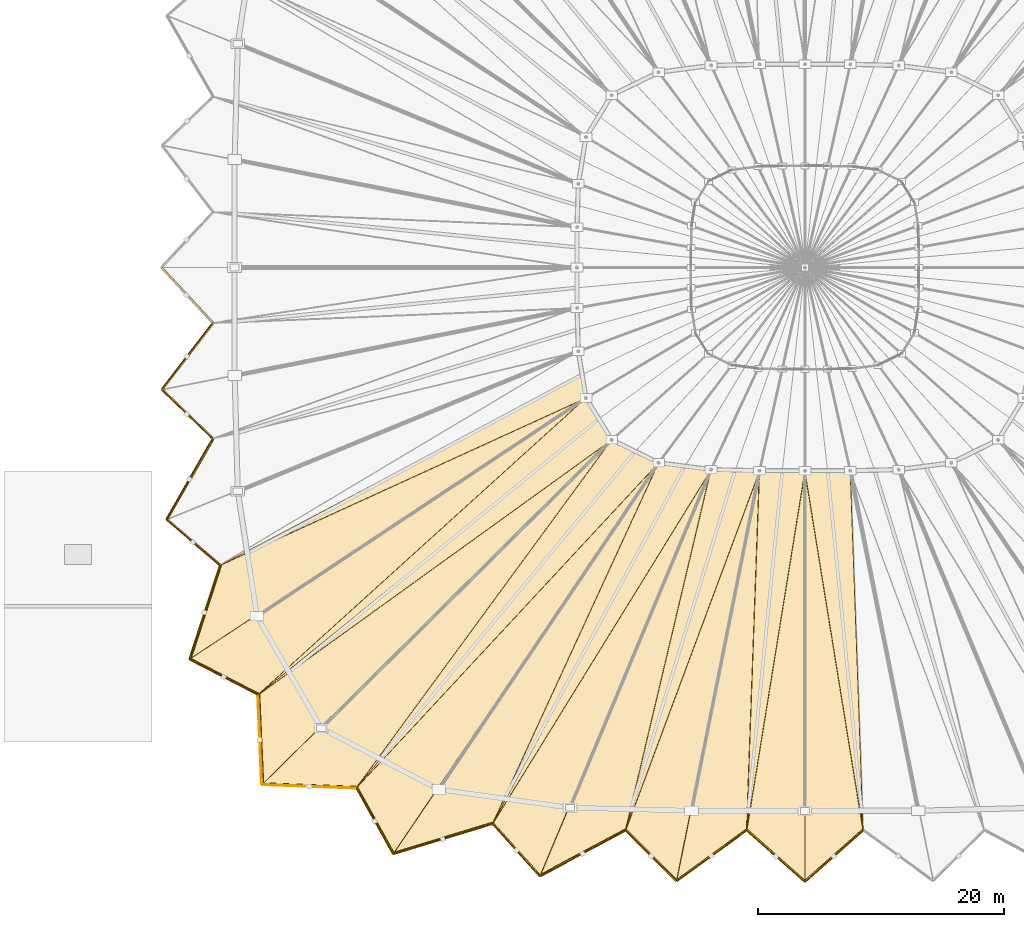
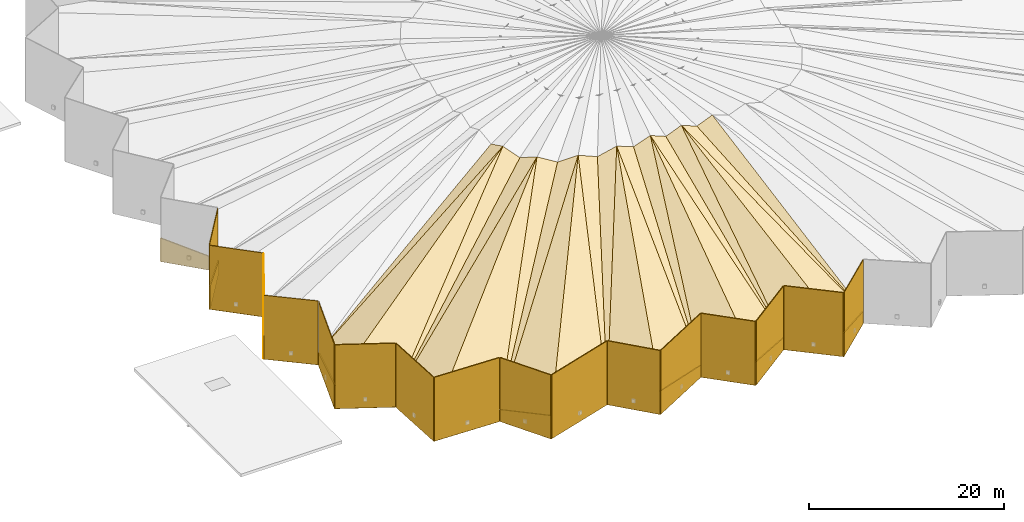
# One storey, part 36 of 41: 42 coverings, 16 shading devices.
"""IFC4 building model written with IfcOpenShell, lengths in metres."""

from ifc_helpers import new_model, si_unit, direction, frame, origin, origin_2d, place, context, subcontext, project, spatial, polyline, rectangle, outline, extrude, material, layer, layer_set, type_object, element, save


model = new_model("IFC4")

# Units and contexts
model_context = context("Model", 3, precision=1e-05, world=origin(), true_north=direction((0.0, 1.0)))
body_context = subcontext(model_context, "Body", "Model", "MODEL_VIEW")
ifc_project = project(units=[si_unit("LENGTHUNIT", "METRE"), si_unit("AREAUNIT", "SQUARE_METRE"), si_unit("VOLUMEUNIT", "CUBIC_METRE"), si_unit("PLANEANGLEUNIT", "RADIAN"), si_unit("MASSUNIT", "GRAM", prefix="KILO")], contexts=[model_context])

# Site, building, storey
site_placement = place(None, origin())
site = spatial("IfcSite", under=ifc_project, at=site_placement, CompositionType="ELEMENT")
building_placement = place(site_placement, origin())
building = spatial("IfcBuilding", under=site, at=building_placement, Name="Luwafu Chhajja Arena", CompositionType="ELEMENT")
storey_placement = place(building_placement, frame((0.0, 0.0, 29.699951171875)))
storey = spatial("IfcBuildingStorey", under=building, at=storey_placement, Name="RF", CompositionType="ELEMENT", Elevation=29.699951171875)

# Shading devices
ifc_material_1 = material(Name="Pierced buff sandstone jali", Category="masonry")
ifc_layer_1 = layer(ifc_material_1, 0.080078125, Name="Pierced buff sandstone jali")
ifc_layer_set_1 = layer_set([ifc_layer_1], Name="Pierced buff sandstone jali")
shading_device_type = type_object("IfcShadingDeviceType", Name="Pierced Buff-Sandstone Jali Screen", PredefinedType="JALOUSIE", material=ifc_layer_set_1)
shading_device_1_placement = place(storey_placement, frame((48.82080078125, 42.296142578125, -1.06005859375), z_axis=(0.0, 0.0, 1.0), x_axis=(-0.60965313274, -0.792668315085, 0.0)))
element("IfcShadingDevice", 1, at=shading_device_1_placement, inside=storey, type_object=shading_device_type, Name="RF Crown Acoustic Jali Screen 34", PredefinedType="JALOUSIE", context=body_context, shape_type="SweptSolid", body=[
    extrude(rectangle(XDim=6.69287109375, YDim=0.080078125, at=origin_2d()), origin(), (0.0, 0.0, 1.0), 8.02001953125),
])
shading_device_2_placement = place(storey_placement, frame((48.823486328125, 37.604736328125, -1.06005859375), z_axis=(0.0, 0.0, 1.0), x_axis=(0.719887976366, -0.694090268974, 0.0)))
element("IfcShadingDevice", 2, at=shading_device_2_placement, inside=storey, type_object=shading_device_type, Name="RF Crown Acoustic Jali Screen 35", PredefinedType="JALOUSIE", context=body_context, shape_type="SweptSolid", body=[
    extrude(rectangle(XDim=5.66015625, YDim=0.080078125, at=origin_2d()), origin(), (0.0, 0.0, 1.0), 8.02001953125),
])
shading_device_3_placement = place(storey_placement, frame((49.01708984375, 32.3251953125, -1.06005859375), z_axis=(0.0, 0.0, 1.0), x_axis=(-0.497200973482, -0.867635402671, 0.0)))
element("IfcShadingDevice", 3, at=shading_device_3_placement, inside=storey, type_object=shading_device_type, Name="RF Crown Acoustic Jali Screen 36", PredefinedType="JALOUSIE", context=body_context, shape_type="SweptSolid", body=[
    extrude(rectangle(XDim=7.4619140625, YDim=0.080078125, at=origin_2d()), origin(), (0.0, 0.0, 1.0), 8.02001953125),
])
shading_device_4_placement = place(storey_placement, frame((49.31640625, 27.18359375, -1.06005859375), z_axis=(0.0, 0.0, 1.0), x_axis=(0.760438832621, -0.649409564021, 0.0)))
element("IfcShadingDevice", 4, at=shading_device_4_placement, inside=storey, type_object=shading_device_type, Name="RF Crown Acoustic Jali Screen 37", PredefinedType="JALOUSIE", context=body_context, shape_type="SweptSolid", body=[
    extrude(rectangle(XDim=5.6318359375, YDim=0.080078125, at=origin_2d()), origin(), (0.0, 0.0, 1.0), 8.02001953125),
])
shading_device_5_placement = place(storey_placement, frame((50.250732421875, 21.507080078125, -1.06005859375), z_axis=(0.0, 0.0, 1.0), x_axis=(-0.310226236034, -0.950662759593, 0.0)))
element("IfcShadingDevice", 5, at=shading_device_5_placement, inside=storey, type_object=shading_device_type, Name="RF Crown Acoustic Jali Screen 38", PredefinedType="JALOUSIE", context=body_context, shape_type="SweptSolid", body=[
    extrude(rectangle(XDim=7.926513671875, YDim=0.080078125, at=origin_2d()), origin(), (0.0, 0.0, 1.0), 8.02001953125),
])
shading_device_6_placement = place(storey_placement, frame((51.802490234375, 16.24755859375, -1.06005859375), z_axis=(0.0, 0.0, 1.0), x_axis=(0.888491974028, -0.458892157361, 0.0)))
element("IfcShadingDevice", 6, at=shading_device_6_placement, inside=storey, type_object=shading_device_type, Name="RF Crown Acoustic Jali Screen 39", PredefinedType="JALOUSIE", context=body_context, shape_type="SweptSolid", body=[
    extrude(rectangle(XDim=6.1953125, YDim=0.080078125, at=origin_2d()), origin(), (0.0, 0.0, 1.0), 8.02001953125),
])
shading_device_7_placement = place(storey_placement, frame((54.7578125, 11.16357421875, -1.06005859375), z_axis=(0.0, 0.0, 1.0), x_axis=(0.043562300264, -0.999050712424, 0.0)))
element("IfcShadingDevice", 7, at=shading_device_7_placement, inside=storey, type_object=shading_device_type, Name="RF Crown Acoustic Jali Screen 40", PredefinedType="JALOUSIE", context=body_context, shape_type="SweptSolid", body=[
    extrude(rectangle(XDim=7.18603515625, YDim=0.080078125, at=origin_2d()), origin(), (0.0, 0.0, 1.0), 8.02001953125),
])
shading_device_8_placement = place(storey_placement, frame((58.745361328125, 7.38037109375, -1.06005859375), z_axis=(0.0, 0.0, 1.0), x_axis=(0.999297927203, -0.037465353157, 0.0)))
element("IfcShadingDevice", 8, at=shading_device_8_placement, inside=storey, type_object=shading_device_type, Name="RF Crown Acoustic Jali Screen 41", PredefinedType="JALOUSIE", context=body_context, shape_type="SweptSolid", body=[
    extrude(rectangle(XDim=7.56298828125, YDim=0.080078125, at=origin_2d()), origin(), (0.0, 0.0, 1.0), 8.02001953125),
])
shading_device_9_placement = place(storey_placement, frame((64.0732421875, 4.550537109375, -1.06005859375), z_axis=(0.0, 0.0, 1.0), x_axis=(0.487313131845, -0.873227296603, 0.0)))
element("IfcShadingDevice", 9, at=shading_device_9_placement, inside=storey, type_object=shading_device_type, Name="RF Crown Acoustic Jali Screen 42", PredefinedType="JALOUSIE", context=body_context, shape_type="SweptSolid", body=[
    extrude(rectangle(XDim=6.052978515625, YDim=0.080078125, at=origin_2d()), origin(), (0.0, 0.0, 1.0), 8.02001953125),
])
shading_device_10_placement = place(storey_placement, frame((69.604248046875, 3.090087890625, -1.06005859375), z_axis=(0.0, 0.0, 1.0), x_axis=(0.9567402425, 0.290943479702, 0.0)))
element("IfcShadingDevice", 10, at=shading_device_10_placement, inside=storey, type_object=shading_device_type, Name="RF Crown Acoustic Jali Screen 43", PredefinedType="JALOUSIE", context=body_context, shape_type="SweptSolid", body=[
    extrude(rectangle(XDim=8.328125, YDim=0.080078125, at=origin_2d()), origin(), (0.0, 0.0, 1.0), 8.02001953125),
])
shading_device_11_placement = place(storey_placement, frame((75.5625, 2.18359375, -1.06005859375), z_axis=(0.0, 0.0, 1.0), x_axis=(0.670358269136, -0.742037594062, 0.0)))
element("IfcShadingDevice", 11, at=shading_device_11_placement, inside=storey, type_object=shading_device_type, Name="RF Crown Acoustic Jali Screen 44", PredefinedType="JALOUSIE", context=body_context, shape_type="SweptSolid", body=[
    extrude(rectangle(XDim=5.647705078125, YDim=0.080078125, at=origin_2d()), origin(), (0.0, 0.0, 1.0), 8.02001953125),
])
shading_device_12_placement = place(storey_placement, frame((80.961181640625, 1.913818359375, -1.06005859375), z_axis=(0.0, 0.0, 1.0), x_axis=(0.881200624672, 0.472742487067, 0.0)))
element("IfcShadingDevice", 12, at=shading_device_12_placement, inside=storey, type_object=shading_device_type, Name="RF Crown Acoustic Jali Screen 45", PredefinedType="JALOUSIE", context=body_context, shape_type="SweptSolid", body=[
    extrude(rectangle(XDim=7.780517578125, YDim=0.080078125, at=origin_2d()), origin(), (0.0, 0.0, 1.0), 8.02001953125),
])
shading_device_13_placement = place(storey_placement, frame((86.5107421875, 1.716796875, -1.06005859375), z_axis=(0.0, 0.0, 1.0), x_axis=(0.710108737602, -0.70409202579, 0.0)))
element("IfcShadingDevice", 13, at=shading_device_13_placement, inside=storey, type_object=shading_device_type, Name="RF Crown Acoustic Jali Screen 46", PredefinedType="JALOUSIE", context=body_context, shape_type="SweptSolid", body=[
    extrude(rectangle(XDim=5.75048828125, YDim=0.080078125, at=origin_2d()), origin(), (0.0, 0.0, 1.0), 8.02001953125),
])
shading_device_14_placement = place(storey_placement, frame((91.429931640625, 1.723388671875, -1.06005859375), z_axis=(0.0, 0.0, 1.0), x_axis=(0.808838836348, 0.588030387663, 0.0)))
element("IfcShadingDevice", 14, at=shading_device_14_placement, inside=storey, type_object=shading_device_type, Name="RF Crown Acoustic Jali Screen 47", PredefinedType="JALOUSIE", context=body_context, shape_type="SweptSolid", body=[
    extrude(rectangle(XDim=6.927490234375, YDim=0.080078125, at=origin_2d()), origin(), (0.0, 0.0, 1.0), 8.02001953125),
])
for number, where, z_axis, x_axis, name in (
    (15, (96.635986328125, 1.69482421875, -1.06005859375), (0.0, 0.0, 1.0), (0.748442472682, -0.663199717344, 0.0), "RF Crown Acoustic Jali Screen 48"),
    (16, (101.364013671875, 1.69482421875, -1.06005859375), (0.0, 0.0, 1.0), (0.748442472682, 0.663199717344, 0.0), "RF Crown Acoustic Jali Screen 49"),
):
    element("IfcShadingDevice", number, at=place(storey_placement, frame(where, z_axis=z_axis, x_axis=x_axis)), inside=storey, type_object=shading_device_type, Name=name, PredefinedType="JALOUSIE", context=body_context, shape_type="SweptSolid", body=[
        extrude(rectangle(XDim=6.21728515625, YDim=0.080078125, at=origin_2d()), origin(), (0.0, 0.0, 1.0), 8.02001953125),
    ])

# Coverings
ifc_material_2 = material(Name="White architectural roof membrane")
ifc_layer_2 = layer(ifc_material_2, 0.06005859375, Name="White architectural roof membrane")
ifc_layer_set_2 = layer_set([ifc_layer_2], Name="White architectural roof membrane")
covering_type = type_object("IfcCoveringType", Name="White Architectural Standing-Seam Roofing", PredefinedType="ROOFING", material=ifc_layer_set_2)
covering_1_placement = place(storey_placement, frame((51.495849609375, 25.322509765625, 0.465087890625), z_axis=(-0.3473951664, 0.283222007204, 0.893924992937), x_axis=(-0.305276328373, -0.935524232111, 0.177766066694)))
element("IfcCovering", 17, at=covering_1_placement, inside=storey, type_object=covering_type, Name="White Folded Roof Covering 19B1", PredefinedType="ROOFING", context=body_context, shape_type="SweptSolid", body=[
    extrude(outline(polyline([(0.0, 0.0), (8.156512650831873, -3.3306690738754696e-16), (-20.49883700590129, 26.47660026338137), (0.0, 0.0)])), origin(), (0.0, 0.0, -1.0), 0.06005859375),
])
covering_2_placement = place(storey_placement, frame((51.495849609375, 25.322509765625, 0.465087890625), z_axis=(-0.351068333593, 0.293866383655, 0.88904081667), x_axis=(0.88796003209, 0.405767097251, 0.216517999712)))
element("IfcCovering", 18, at=covering_2_placement, inside=storey, type_object=covering_type, Name="White Folded Roof Covering 19B2", PredefinedType="ROOFING", context=body_context, shape_type="SweptSolid", body=[
    extrude(outline(polyline([(0.0, 0.0), (33.484514034123215, -8.881784197001252e-16), (33.81618181512159, 2.037246205538802), (0.0, 0.0)])), origin(), (0.0, 0.0, -1.0), 0.06005859375),
])
covering_3_placement = place(storey_placement, frame((49.005859375, 17.69189453125, 1.9150390625), z_axis=(0.061853072493, -0.349499184642, 0.934892783884), x_axis=(0.865832474481, -0.447164113403, -0.224451290526)))
element("IfcCovering", 19, at=covering_3_placement, inside=storey, type_object=covering_type, Name="White Folded Roof Covering 20A1", PredefinedType="ROOFING", context=body_context, shape_type="SweptSolid", body=[
    extrude(outline(polyline([(0.0, 0.0), (6.459981443988203, -4.996003610813204e-16), (17.110087458950247, 35.06257738107109), (0.0, 0.0)])), origin(), (0.0, 0.0, -1.0), 0.06005859375),
])
covering_4_placement = place(storey_placement, frame((54.59912109375, 14.80322265625, 0.465087890625), z_axis=(0.075937057138, -0.363171699042, 0.928622571537), x_axis=(0.764540588013, 0.619053531189, 0.179584004864)))
element("IfcCovering", 20, at=covering_4_placement, inside=storey, type_object=covering_type, Name="White Folded Roof Covering 20A2", PredefinedType="ROOFING", context=body_context, shape_type="SweptSolid", body=[
    extrude(outline(polyline([(0.0, 0.0), (36.1947602456949, 3.1086244689504383e-15), (36.58445260303647, 2.0944971878010543), (0.0, 0.0)])), origin(), (0.0, 0.0, -1.0), 0.06005859375),
])
covering_5_placement = place(storey_placement, frame((54.59912109375, 14.80322265625, 0.465087890625), z_axis=(-0.353422787371, 0.167898181303, 0.920273075822), x_axis=(0.042721675449, -0.979838057845, 0.195172331149)))
element("IfcCovering", 21, at=covering_5_placement, inside=storey, type_object=covering_type, Name="White Folded Roof Covering 20B1", PredefinedType="ROOFING", context=body_context, shape_type="SweptSolid", body=[
    extrude(outline(polyline([(0.0, 0.0), (7.429081588250116, 5.551115123125783e-17), (-17.64777078743736, 31.535220358949157), (0.0, 0.0)])), origin(), (0.0, 0.0, -1.0), 0.06005859375),
])
covering_6_placement = place(storey_placement, frame((54.59912109375, 14.80322265625, 0.465087890625), z_axis=(-0.361773439984, 0.18152691541, 0.914422198497), x_axis=(0.794614643139, 0.573007835302, 0.200623003645)))
element("IfcCovering", 22, at=covering_6_placement, inside=storey, type_object=covering_type, Name="White Folded Roof Covering 20B2", PredefinedType="ROOFING", context=body_context, shape_type="SweptSolid", body=[
    extrude(outline(polyline([(0.0, 0.0), (36.13743124315022, -4.884981308350689e-15), (36.13201130146253, 2.130358785350517), (0.0, 0.0)])), origin(), (0.0, 0.0, -1.0), 0.06005859375),
])
covering_7_placement = place(storey_placement, frame((54.91650390625, 7.52392578125, 1.9150390625), z_axis=(0.161121281177, -0.35438784221, 0.921113016978), x_axis=(0.981876238956, -0.036813315597, -0.185913504532)))
element("IfcCovering", 23, at=covering_7_placement, inside=storey, type_object=covering_type, Name="White Folded Roof Covering 21A1", PredefinedType="ROOFING", context=body_context, shape_type="SweptSolid", body=[
    extrude(outline(polyline([(0.0, 0.0), (7.799063201578999, 1.1102230246251565e-16), (25.774694639222393, 30.96746299609228), (0.0, 0.0)])), origin(), (0.0, 0.0, -1.0), 0.06005859375),
])
covering_8_placement = place(storey_placement, frame((62.57421875, 7.23681640625, 0.465087890625), z_axis=(0.180395346816, -0.366395927762, 0.912804219407), x_axis=(0.627424833097, 0.757566209461, 0.180087526212)))
element("IfcCovering", 24, at=covering_8_placement, inside=storey, type_object=covering_type, Name="White Folded Roof Covering 21A2", PredefinedType="ROOFING", context=body_context, shape_type="SweptSolid", body=[
    extrude(outline(polyline([(0.0, 0.0), (36.093560374368714, 3.552713678800501e-15), (35.737573531452725, 2.2210196037738443), (0.0, 0.0)])), origin(), (0.0, 0.0, -1.0), 0.06005859375),
])
covering_9_placement = place(storey_placement, frame((62.57421875, 7.23681640625, 0.465087890625), z_axis=(-0.34299732248, 0.061543246292, 0.937318124015), x_axis=(0.474313891171, -0.849949173765, 0.229374660017)))
element("IfcCovering", 25, at=covering_9_placement, inside=storey, type_object=covering_type, Name="White Folded Roof Covering 21B1", PredefinedType="ROOFING", context=body_context, shape_type="SweptSolid", body=[
    extrude(outline(polyline([(0.0, 0.0), (6.32132238046018, -3.3306690738754696e-16), (-9.141690300187491, 35.62891986543352), (0.0, 0.0)])), origin(), (0.0, 0.0, -1.0), 0.06005859375),
])
covering_10_placement = place(storey_placement, frame((62.57421875, 7.23681640625, 0.465087890625), z_axis=(-0.340549010201, 0.058977332985, 0.938375215916), x_axis=(0.667468707931, 0.718078265104, 0.197101824237)))
element("IfcCovering", 26, at=covering_10_placement, inside=storey, type_object=covering_type, Name="White Folded Roof Covering 21B2", PredefinedType="ROOFING", context=body_context, shape_type="SweptSolid", body=[
    extrude(outline(polyline([(0.0, 0.0), (36.783018260088795, 0.0), (36.03125754734162, 2.119806608003964), (0.0, 0.0)])), origin(), (0.0, 0.0, -1.0), 0.06005859375),
])
covering_11_placement = place(storey_placement, frame((65.572509765625, 1.864013671875, 1.9150390625), z_axis=(0.26675234631, -0.345079364923, 0.899868555758), x_axis=(0.942886814587, 0.286737167425, -0.169547196071)))
element("IfcCovering", 27, at=covering_11_placement, inside=storey, type_object=covering_type, Name="White Folded Roof Covering 22A1", PredefinedType="ROOFING", context=body_context, shape_type="SweptSolid", body=[
    extrude(outline(polyline([(0.0, 0.0), (8.551902983216202, 0.0), (28.453063120405066, 26.437622642847426), (0.0, 0.0)])), origin(), (0.0, 0.0, -1.0), 0.06005859375),
])
covering_12_placement = place(storey_placement, frame((73.635986328125, 4.316162109375, 0.465087890625), z_axis=(0.271343713857, -0.346697269379, 0.8978717015), x_axis=(0.464499625767, 0.864213720088, 0.193325486352)))
element("IfcCovering", 28, at=covering_12_placement, inside=storey, type_object=covering_type, Name="White Folded Roof Covering 22A2", PredefinedType="ROOFING", context=body_context, shape_type="SweptSolid", body=[
    extrude(outline(polyline([(0.0, 0.0), (33.62205430160382, -4.440892098500626e-16), (33.018212560346484, 2.191279336691665), (0.0, 0.0)])), origin(), (0.0, 0.0, -1.0), 0.06005859375),
])
covering_13_placement = place(storey_placement, frame((73.635986328125, 4.316162109375, 0.465087890625), z_axis=(-0.362833494899, -0.011009941503, 0.931788944004), x_axis=(0.649985807312, -0.719506529827, 0.244599271932)))
element("IfcCovering", 29, at=covering_13_placement, inside=storey, type_object=covering_type, Name="White Folded Roof Covering 22B1", PredefinedType="ROOFING", context=body_context, shape_type="SweptSolid", body=[
    extrude(outline(polyline([(0.0, 0.0), (5.927863809344509, 5.551115123125783e-17), (-7.399314294998391, 33.778076103427374), (0.0, 0.0)])), origin(), (0.0, 0.0, -1.0), 0.06005859375),
])
covering_14_placement = place(storey_placement, frame((73.635986328125, 4.316162109375, 0.465087890625), z_axis=(-0.335754047359, -0.030145291139, 0.941467195979), x_axis=(0.513182961868, 0.832276364381, 0.209664734617)))
element("IfcCovering", 30, at=covering_14_placement, inside=storey, type_object=covering_type, Name="White Folded Roof Covering 22B2", PredefinedType="ROOFING", context=body_context, shape_type="SweptSolid", body=[
    extrude(outline(polyline([(0.0, 0.0), (34.579014984309474, 1.9984014443252818e-15), (33.56057582160239, 2.0323105034596525), (0.0, 0.0)])), origin(), (0.0, 0.0, -1.0), 0.06005859375),
])
covering_15_placement = place(storey_placement, frame((77.489013671875, 0.051025390625, 1.9150390625), z_axis=(0.347305866704, -0.301848847141, 0.887843403102), x_axis=(0.866654918212, 0.464937741322, -0.180947919116)))
element("IfcCovering", 31, at=covering_15_placement, inside=storey, type_object=covering_type, Name="White Folded Roof Covering 23A1", PredefinedType="ROOFING", context=body_context, shape_type="SweptSolid", body=[
    extrude(outline(polyline([(0.0, 0.0), (8.013085637880708, -1.1102230246251565e-16), (26.353957125142717, 24.98081354399708), (0.0, 0.0)])), origin(), (0.0, 0.0, -1.0), 0.06005859375),
])
covering_16_placement = place(storey_placement, frame((84.43359375, 3.776611328125, 0.465087890625), z_axis=(0.333332398175, -0.300011088349, 0.893802472135), x_axis=(0.28505602519, 0.935720770618, 0.20777319831)))
element("IfcCovering", 32, at=covering_16_placement, inside=storey, type_object=covering_type, Name="White Folded Roof Covering 23A2", PredefinedType="ROOFING", context=body_context, shape_type="SweptSolid", body=[
    extrude(outline(polyline([(0.0, 0.0), (31.28411196860172, 1.3322676295501878e-15), (30.921109522814056, 2.0769203428023277), (0.0, 0.0)])), origin(), (0.0, 0.0, -1.0), 0.06005859375),
])
covering_17_placement = place(storey_placement, frame((84.43359375, 3.776611328125, 0.465087890625), z_axis=(-0.397267920051, -0.078812957808, 0.914312155328), x_axis=(0.689232259532, -0.683440051428, 0.240558908637)))
element("IfcCovering", 33, at=covering_17_placement, inside=storey, type_object=covering_type, Name="White Folded Roof Covering 23B1", PredefinedType="ROOFING", context=body_context, shape_type="SweptSolid", body=[
    extrude(outline(polyline([(0.0, 0.0), (6.02742662947628, 1.1102230246251565e-16), (-10.727402996099578, 30.170933511379992), (0.0, 0.0)])), origin(), (0.0, 0.0, -1.0), 0.06005859375),
])
covering_18_placement = place(storey_placement, frame((84.43359375, 3.776611328125, 0.465087890625), z_axis=(-0.356102716043, -0.097866827997, 0.929307774424), x_axis=(0.340006739471, 0.912761225009, 0.226411932623)))
element("IfcCovering", 34, at=covering_18_placement, inside=storey, type_object=covering_type, Name="White Folded Roof Covering 23B2", PredefinedType="ROOFING", context=body_context, shape_type="SweptSolid", body=[
    extrude(outline(polyline([(0.0, 0.0), (32.02128048640214, -8.881784197001252e-16), (31.22319986061576, 1.951269363274364), (0.0, 0.0)])), origin(), (0.0, 0.0, -1.0), 0.06005859375),
])
covering_19_placement = place(storey_placement, frame((88.587890625, -0.3427734375, 1.9150390625), z_axis=(0.396839891971, -0.234476980596, 0.887433741589), x_axis=(0.792155582605, 0.575896632212, -0.202070784515)))
element("IfcCovering", 35, at=covering_19_placement, inside=storey, type_object=covering_type, Name="White Folded Roof Covering 24A1", PredefinedType="ROOFING", context=body_context, shape_type="SweptSolid", body=[
    extrude(outline(polyline([(0.0, 0.0), (7.175461684635255, -1.1102230246251565e-16), (23.366207074902867, 25.39743907686257), (0.0, 0.0)])), origin(), (0.0, 0.0, -1.0), 0.06005859375),
])
covering_20_placement = place(storey_placement, frame((94.27197265625, 3.78955078125, 0.465087890625), z_axis=(0.366578056869, -0.236467887715, 0.899835243976), x_axis=(0.096077224788, 0.971612604129, 0.216189996008)))
element("IfcCovering", 36, at=covering_20_placement, inside=storey, type_object=covering_type, Name="White Folded Roof Covering 24A2", PredefinedType="ROOFING", context=body_context, shape_type="SweptSolid", body=[
    extrude(outline(polyline([(0.0, 0.0), (30.06614607532005, 4.440892098500626e-16), (30.05367983811132, 1.9865739713684802), (0.0, 0.0)])), origin(), (0.0, 0.0, -1.0), 0.06005859375),
])
covering_21_placement = place(storey_placement, frame((94.27197265625, 3.78955078125, 0.465087890625), z_axis=(-0.413205616614, -0.155804722874, 0.897210124067), x_axis=(0.729479958319, -0.646384182833, 0.223710702905)))
element("IfcCovering", 37, at=covering_21_placement, inside=storey, type_object=covering_type, Name="White Folded Roof Covering 24B1", PredefinedType="ROOFING", context=body_context, shape_type="SweptSolid", body=[
    extrude(outline(polyline([(0.0, 0.0), (6.481367020208133, 4.440892098500626e-16), (-13.81026856274685, 27.15591221721757), (0.0, 0.0)])), origin(), (0.0, 0.0, -1.0), 0.06005859375),
])
covering_22_placement = place(storey_placement, frame((94.27197265625, 3.78955078125, 0.465087890625), z_axis=(-0.372481716463, -0.166318941701, 0.913014447056), x_axis=(0.155191130813, 0.958793660914, 0.237971487175)))
element("IfcCovering", 38, at=covering_22_placement, inside=storey, type_object=covering_type, Name="White Folded Roof Covering 24B2", PredefinedType="ROOFING", context=body_context, shape_type="SweptSolid", body=[
    extrude(outline(polyline([(0.0, 0.0), (30.465834735395322, -4.440892098500626e-16), (30.004011189204398, 1.9319555845257934), (0.0, 0.0)])), origin(), (0.0, 0.0, -1.0), 0.06005859375),
])
covering_23_placement = place(storey_placement, frame((99.0, -0.39990234375, 1.9150390625), z_axis=(0.413205616614, -0.155804722874, 0.897210124067), x_axis=(0.729479958319, 0.646384182833, -0.223710702905)))
element("IfcCovering", 39, at=covering_23_placement, inside=storey, type_object=covering_type, Name="White Folded Roof Covering 25A1", PredefinedType="ROOFING", context=body_context, shape_type="SweptSolid", body=[
    extrude(outline(polyline([(0.0, 0.0), (6.481367020208133, -4.440892098500626e-16), (20.291635582954985, 27.15591221721757), (0.0, 0.0)])), origin(), (0.0, 0.0, -1.0), 0.06005859375),
])
covering_24_placement = place(storey_placement, frame((103.72802734375, 3.78955078125, 0.465087890625), z_axis=(0.372481716463, -0.166318941701, 0.913014447056), x_axis=(-0.096077224788, 0.971612604129, 0.216189996008)))
element("IfcCovering", 40, at=covering_24_placement, inside=storey, type_object=covering_type, Name="White Folded Roof Covering 25A2", PredefinedType="ROOFING", context=body_context, shape_type="SweptSolid", body=[
    extrude(outline(polyline([(0.0, 0.0), (30.06614607532005, -8.881784197001252e-16), (30.402873850187095, 1.9576383154275057), (0.0, 0.0)])), origin(), (0.0, 0.0, -1.0), 0.06005859375),
])
covering_25_placement = place(storey_placement, frame((103.72802734375, 3.78955078125, 0.465087890625), z_axis=(-0.366578056869, -0.236467887715, 0.899835243976), x_axis=(-0.034830605988, 0.969971988577, 0.240709721995)))
element("IfcCovering", 41, at=covering_25_placement, inside=storey, type_object=covering_type, Name="White Folded Roof Covering 25B2", PredefinedType="ROOFING", context=body_context, shape_type="SweptSolid", body=[
    extrude(outline(polyline([(0.0, 0.0), (30.11926539534817, 0.0), (30.000676186913708, 1.9830703846388729), (0.0, 0.0)])), origin(), (0.0, 0.0, -1.0), 0.06005859375),
])
covering_26_placement = place(storey_placement, frame((46.699951171875, 49.5, -1.099853515625), z_axis=(-0.732615558692, -0.68064266922, 0.0), x_axis=(0.68064266922, -0.732615558692, 0.0)))
element("IfcCovering", 42, at=covering_26_placement, inside=storey, type_object=covering_type, Name="RF Pleated Rim Eave Fascia 33", PredefinedType="ROOFING", context=body_context, shape_type="SweptSolid", body=[
    extrude(outline(polyline([(0.0, 0.0), (6.158371463002883, 0.0), (6.158371463002883, 1.5), (0.0, 2.949951171875), (0.0, 0.0)])), origin(), (0.0, 0.0, -1.0), 0.139892578125),
])
covering_27_placement = place(storey_placement, frame((50.8916015625, 44.98828125, -1.099853515625), z_axis=(-0.792665405575, 0.609656915655, 0.0), x_axis=(-0.609656915655, -0.792665405575, 0.0)))
element("IfcCovering", 43, at=covering_27_placement, inside=storey, type_object=covering_type, Name="RF Pleated Rim Eave Fascia 34", PredefinedType="ROOFING", context=body_context, shape_type="SweptSolid", body=[
    extrude(outline(polyline([(0.0, 0.0), (6.792931098680091, 0.0), (6.792931098680091, 2.949951171875), (0.0, 1.5), (0.0, 0.0)])), origin(), (0.0, 0.0, -1.0), 0.139892578125),
])
covering_28_placement = place(storey_placement, frame((46.750244140625, 39.603759765625, -1.099853515625), z_axis=(-0.694083015737, -0.719894969607, 0.0), x_axis=(0.719894969607, -0.694083015737, 0.0)))
element("IfcCovering", 44, at=covering_28_placement, inside=storey, type_object=covering_type, Name="RF Pleated Rim Eave Fascia 35", PredefinedType="ROOFING", context=body_context, shape_type="SweptSolid", body=[
    extrude(outline(polyline([(0.0, 0.0), (5.760185430782136, 0.0), (5.760185430782136, 1.4999999999999996), (0.0, 2.9499511718749996), (0.0, 0.0)])), origin(), (0.0, 0.0, -1.0), 0.139892578125),
])
covering_29_placement = place(storey_placement, frame((50.89697265625, 35.605712890625, -1.099853515625), z_axis=(-0.86763851296, 0.497195545865, 0.0), x_axis=(-0.497195545865, -0.86763851296, 0.0)))
element("IfcCovering", 45, at=covering_29_placement, inside=storey, type_object=covering_type, Name="RF Pleated Rim Eave Fascia 36", PredefinedType="ROOFING", context=body_context, shape_type="SweptSolid", body=[
    extrude(outline(polyline([(0.0, 0.0), (7.561945508695504, 0.0), (7.561945508695504, 2.949951171875), (0.0, 1.5), (0.0, 0.0)])), origin(), (0.0, 0.0, -1.0), 0.139892578125),
])
covering_30_placement = place(storey_placement, frame((47.13720703125, 29.044677734375, -1.099853515625), z_axis=(-0.649401190824, -0.760445983194, 0.0), x_axis=(0.760445983194, -0.649401190824, 0.0)))
element("IfcCovering", 46, at=covering_30_placement, inside=storey, type_object=covering_type, Name="RF Pleated Rim Eave Fascia 37", PredefinedType="ROOFING", context=body_context, shape_type="SweptSolid", body=[
    extrude(outline(polyline([(0.0, 0.0), (5.731692552068076, 0.0), (5.731692552068076, 1.5000000000000004), (0.0, 2.9499511718750004), (0.0, 0.0)])), origin(), (0.0, 0.0, -1.0), 0.139892578125),
])
covering_31_placement = place(storey_placement, frame((51.495849609375, 25.322509765625, -1.099853515625), z_axis=(-0.950665699066, 0.310217228116, 0.0), x_axis=(-0.310217228116, -0.950665699066, 0.0)))
element("IfcCovering", 47, at=covering_31_placement, inside=storey, type_object=covering_type, Name="RF Pleated Rim Eave Fascia 38", PredefinedType="ROOFING", context=body_context, shape_type="SweptSolid", body=[
    extrude(outline(polyline([(0.0, 0.0), (8.02660203463201, 0.0), (8.02660203463201, 2.9499511718750004), (0.0, 1.5000000000000004), (0.0, 0.0)])), origin(), (0.0, 0.0, -1.0), 0.139892578125),
])
covering_32_placement = place(storey_placement, frame((49.005859375, 17.69189453125, -1.099853515625), z_axis=(-0.458872092891, -0.888502336725, 0.0), x_axis=(0.888502336725, -0.458872092891, 0.0)))
element("IfcCovering", 48, at=covering_32_placement, inside=storey, type_object=covering_type, Name="RF Pleated Rim Eave Fascia 39", PredefinedType="ROOFING", context=body_context, shape_type="SweptSolid", body=[
    extrude(outline(polyline([(0.0, 0.0), (6.295157015980636, 0.0), (6.295157015980636, 1.5), (0.0, 2.949951171875), (0.0, 0.0)])), origin(), (0.0, 0.0, -1.0), 0.139892578125),
])
covering_33_placement = place(storey_placement, frame((54.59912109375, 14.80322265625, -1.099853515625), z_axis=(-0.999050840313, -0.043559367199, 0.0), x_axis=(0.043559367199, -0.999050840313, 0.0)))
element("IfcCovering", 49, at=covering_33_placement, inside=storey, type_object=covering_type, Name="RF Pleated Rim Eave Fascia 40", PredefinedType="ROOFING", context=body_context, shape_type="SweptSolid", body=[
    extrude(outline(polyline([(0.0, 0.0), (7.286212654325646, 0.0), (7.286212654325646, 2.949951171875), (0.0, 1.5), (0.0, 0.0)])), origin(), (0.0, 0.0, -1.0), 0.139892578125),
])
covering_34_placement = place(storey_placement, frame((54.91650390625, 7.52392578125, -1.099853515625), z_axis=(-0.037466502319, -0.999297884119, 0.0), x_axis=(0.999297884119, -0.037466502319, 0.0)))
element("IfcCovering", 50, at=covering_34_placement, inside=storey, type_object=covering_type, Name="RF Pleated Rim Eave Fascia 41", PredefinedType="ROOFING", context=body_context, shape_type="SweptSolid", body=[
    extrude(outline(polyline([(0.0, 0.0), (7.663095224607481, 0.0), (7.663095224607481, 1.5), (0.0, 2.949951171875), (0.0, 0.0)])), origin(), (0.0, 0.0, -1.0), 0.139892578125),
])
covering_35_placement = place(storey_placement, frame((62.57421875, 7.23681640625, -1.099853515625), z_axis=(-0.87323108, -0.487306352228, 0.0), x_axis=(0.487306352228, -0.87323108, 0.0)))
element("IfcCovering", 51, at=covering_35_placement, inside=storey, type_object=covering_type, Name="RF Pleated Rim Eave Fascia 42", PredefinedType="ROOFING", context=body_context, shape_type="SweptSolid", body=[
    extrude(outline(polyline([(0.0, 0.0), (6.152784592108283, 0.0), (6.152784592108283, 2.9499511718749996), (0.0, 1.4999999999999998), (0.0, 0.0)])), origin(), (0.0, 0.0, -1.0), 0.139892578125),
])
covering_36_placement = place(storey_placement, frame((65.572509765625, 1.864013671875, -1.099853515625), z_axis=(0.290949514446, -0.956738407321, 0.0), x_axis=(0.956738407321, 0.290949514446, 0.0)))
element("IfcCovering", 52, at=covering_36_placement, inside=storey, type_object=covering_type, Name="RF Pleated Rim Eave Fascia 43", PredefinedType="ROOFING", context=body_context, shape_type="SweptSolid", body=[
    extrude(outline(polyline([(0.0, 0.0), (8.428089121118767, 0.0), (8.428089121118767, 1.5), (0.0, 2.949951171875), (0.0, 0.0)])), origin(), (0.0, 0.0, -1.0), 0.139892578125),
])
covering_37_placement = place(storey_placement, frame((73.635986328125, 4.316162109375, -1.099853515625), z_axis=(-0.742046752654, -0.670348131104, 0.0), x_axis=(0.670348131104, -0.742046752654, 0.0)))
element("IfcCovering", 53, at=covering_37_placement, inside=storey, type_object=covering_type, Name="RF Pleated Rim Eave Fascia 44", PredefinedType="ROOFING", context=body_context, shape_type="SweptSolid", body=[
    extrude(outline(polyline([(0.0, 0.0), (5.747800530752151, 0.0), (5.747800530752151, 2.949951171875), (0.0, 1.5), (0.0, 0.0)])), origin(), (0.0, 0.0, -1.0), 0.139892578125),
])
covering_38_placement = place(storey_placement, frame((77.489013671875, 0.051025390625, -1.099853515625), z_axis=(0.472741435731, -0.881201188687, 0.0), x_axis=(0.881201188687, 0.472741435731, 0.0)))
element("IfcCovering", 54, at=covering_38_placement, inside=storey, type_object=covering_type, Name="RF Pleated Rim Eave Fascia 45", PredefinedType="ROOFING", context=body_context, shape_type="SweptSolid", body=[
    extrude(outline(polyline([(0.0, 0.0), (7.880811064807251, 0.0), (7.880811064807251, 1.4999999999999998), (0.0, 2.9499511718749996), (0.0, 0.0)])), origin(), (0.0, 0.0, -1.0), 0.139892578125),
])
covering_39_placement = place(storey_placement, frame((84.43359375, 3.776611328125, -1.099853515625), z_axis=(-0.704116763638, -0.710084208502, 0.0), x_axis=(0.710084208502, -0.704116763638, 0.0)))
element("IfcCovering", 55, at=covering_39_placement, inside=storey, type_object=covering_type, Name="RF Pleated Rim Eave Fascia 46", PredefinedType="ROOFING", context=body_context, shape_type="SweptSolid", body=[
    extrude(outline(polyline([(0.0, 0.0), (5.8504284777183715, 0.0), (5.8504284777183715, 2.949951171875), (0.0, 1.5), (0.0, 0.0)])), origin(), (0.0, 0.0, -1.0), 0.139892578125),
])
covering_40_placement = place(storey_placement, frame((88.587890625, -0.3427734375, -1.099853515625), z_axis=(0.588027090371, -0.808841233488, 0.0), x_axis=(0.808841233488, 0.588027090371, 0.0)))
element("IfcCovering", 56, at=covering_40_placement, inside=storey, type_object=covering_type, Name="RF Pleated Rim Eave Fascia 47", PredefinedType="ROOFING", context=body_context, shape_type="SweptSolid", body=[
    extrude(outline(polyline([(0.0, 0.0), (7.0274385082223905, 0.0), (7.0274385082223905, 1.5), (0.0, 2.949951171875), (0.0, 0.0)])), origin(), (0.0, 0.0, -1.0), 0.139892578125),
])
covering_41_placement = place(storey_placement, frame((94.27197265625, 3.78955078125, -1.099853515625), z_axis=(-0.663192402205, -0.74844895461, 0.0), x_axis=(0.74844895461, -0.663192402205, 0.0)))
element("IfcCovering", 57, at=covering_41_placement, inside=storey, type_object=covering_type, Name="RF Pleated Rim Eave Fascia 48", PredefinedType="ROOFING", context=body_context, shape_type="SweptSolid", body=[
    extrude(outline(polyline([(0.0, 0.0), (6.317100604693577, 0.0), (6.317100604693577, 2.9499511718750004), (0.0, 1.5000000000000004), (0.0, 0.0)])), origin(), (0.0, 0.0, -1.0), 0.139892578125),
])
covering_42_placement = place(storey_placement, frame((99.0, -0.39990234375, -1.099853515625), z_axis=(0.663192402205, -0.74844895461, 0.0), x_axis=(0.74844895461, 0.663192402205, 0.0)))
element("IfcCovering", 58, at=covering_42_placement, inside=storey, type_object=covering_type, Name="RF Pleated Rim Eave Fascia 49", PredefinedType="ROOFING", context=body_context, shape_type="SweptSolid", body=[
    extrude(outline(polyline([(0.0, 0.0), (6.317100604693577, 0.0), (6.317100604693577, 1.5000000000000004), (0.0, 2.9499511718750004), (0.0, 0.0)])), origin(), (0.0, 0.0, -1.0), 0.139892578125),
])

save(model, "model.ifc")
